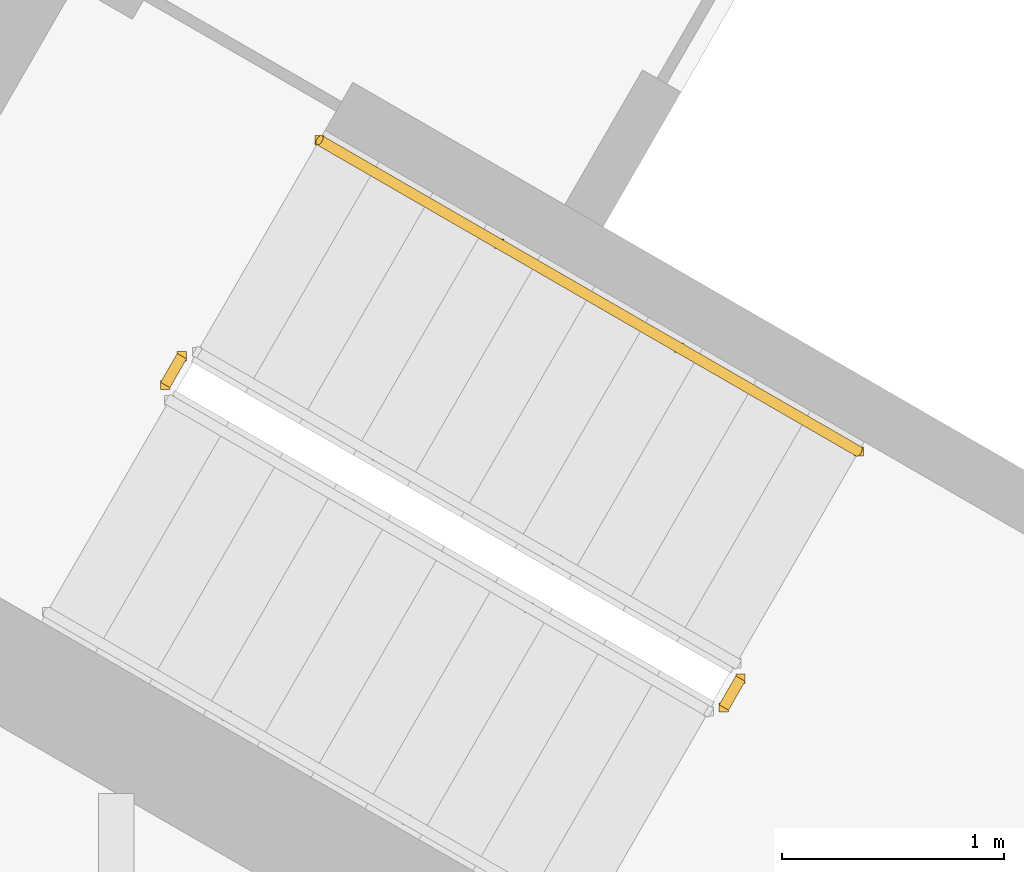
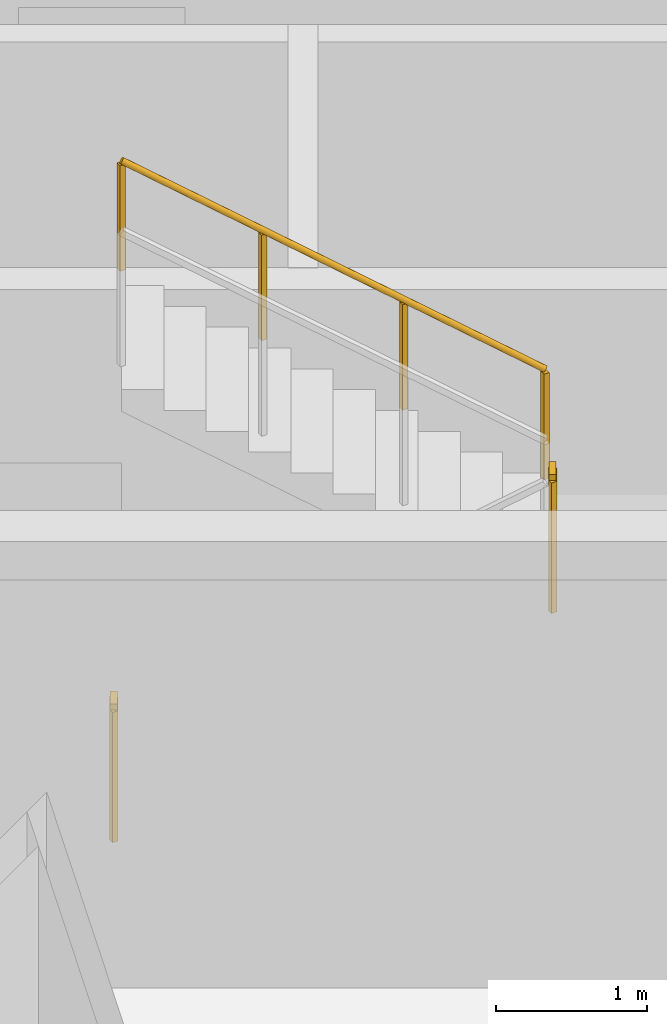
# One storey, part 11 of 13: 3 railings.
"""IFC4 building model written with IfcOpenShell, lengths in metres."""

from ifc_helpers import new_model, si_unit, direction, frame, origin, origin_2d, place, context, subcontext, project, spatial, rectangle, circle, extrude, material, type_object, element, save


model = new_model("IFC4")

# Units and contexts
model_context = context("Model", 3, precision=1e-05, world=origin(), true_north=direction((0.0, 1.0)))
body_context = subcontext(model_context, "Body", "Model", "MODEL_VIEW")
ifc_project = project(units=[si_unit("LENGTHUNIT", "METRE"), si_unit("AREAUNIT", "SQUARE_METRE"), si_unit("VOLUMEUNIT", "CUBIC_METRE"), si_unit("PLANEANGLEUNIT", "RADIAN"), si_unit("MASSUNIT", "GRAM", prefix="KILO")], contexts=[model_context])

# Site, building, storey
site_placement = place(None, origin())
site = spatial("IfcSite", under=ifc_project, at=site_placement, CompositionType="ELEMENT")
building_placement = place(site_placement, origin())
building = spatial("IfcBuilding", under=site, at=building_placement, Name="Apuvela Tower Hotel", CompositionType="ELEMENT")
storey_placement = place(building_placement, frame((0.0, 0.0, 298.5)))
storey = spatial("IfcBuildingStorey", under=building, at=storey_placement, Name="L74", CompositionType="ELEMENT", Elevation=298.5)

# Railings
ifc_material_1 = material(Name="Steel S275 balustrade", Category="steel")
railing_type_1 = type_object("IfcRailingType", Name="COR-GUARD-1100", PredefinedType="GUARDRAIL", material=ifc_material_1)
for number, where, name in (
    (1, (13.212158203125, -12.015869140625, 1.85009765625), "L74 ST3 stair guard 2"),
    (2, (10.70068359375, -10.56591796875, 0.0), "L74 ST3 stair guard 4"),
):
    element("IfcRailing", number, at=place(storey_placement, frame(where)), inside=storey, type_object=railing_type_1, Name=name, PredefinedType="GUARDRAIL", context=body_context, shape_type="SweptSolid", body=[
        extrude(rectangle(XDim=0.048095703125, YDim=0.048095703125, at=origin_2d()), frame((0.0, 0.0, 1.076171875), z_axis=(0.499816412211, 0.866131372301, 0.0), x_axis=(-0.866131372301, 0.499816412211, 0.0)), (0.0, 0.0, 1.0), 0.14990234375),
        extrude(rectangle(XDim=0.0419921875, YDim=0.0419921875, at=origin_2d()), origin(), (0.0, 0.0, 1.0), 1.052001953125),
        extrude(rectangle(XDim=0.0419921875, YDim=0.0419921875, at=origin_2d()), frame((0.074951171875, 0.1298828125, 0.0)), (0.0, 0.0, 1.0), 1.052001953125),
    ])
ifc_material_2 = material(Name="Stainless steel 316 handrail", Category="steel")
railing_type_2 = type_object("IfcRailingType", Name="COR-HANDRAIL-900", PredefinedType="HANDRAIL", material=ifc_material_2)
railing_placement = place(storey_placement, frame((13.81884765625, -10.864990234375, 2.01806640625)))
element("IfcRailing", 3, at=railing_placement, inside=storey, type_object=railing_type_2, Name="L74 ST3 stair handrail 2", PredefinedType="HANDRAIL", context=body_context, shape_type="SweptSolid", body=[
    extrude(circle(Radius=0.02392578125, at=origin_2d()), frame((0.0, 0.0, 0.8759765625), z_axis=(-0.742390482028, 0.42860119049, 0.514934356695), x_axis=(-0.49998411664, -0.866034573852, 0.0)), (0.0, 0.0, 1.0), 3.26611328125),
    extrude(rectangle(XDim=0.0419921875, YDim=0.0419921875, at=origin_2d()), origin(), (0.0, 0.0, 1.0), 0.851806640625),
    extrude(rectangle(XDim=0.0419921875, YDim=0.0419921875, at=origin_2d()), frame((-0.808349609375, 0.466552734375, 0.560546875)), (0.0, 0.0, 1.0), 0.851806640625),
    extrude(rectangle(XDim=0.0419921875, YDim=0.0419921875, at=origin_2d()), frame((-1.616455078125, 0.933349609375, 1.121337890625)), (0.0, 0.0, 1.0), 0.851806640625),
    extrude(rectangle(XDim=0.0419921875, YDim=0.0419921875, at=origin_2d()), frame((-2.4248046875, 1.39990234375, 1.681884765625)), (0.0, 0.0, 1.0), 0.851806640625),
])

save(model, "model.ifc")
